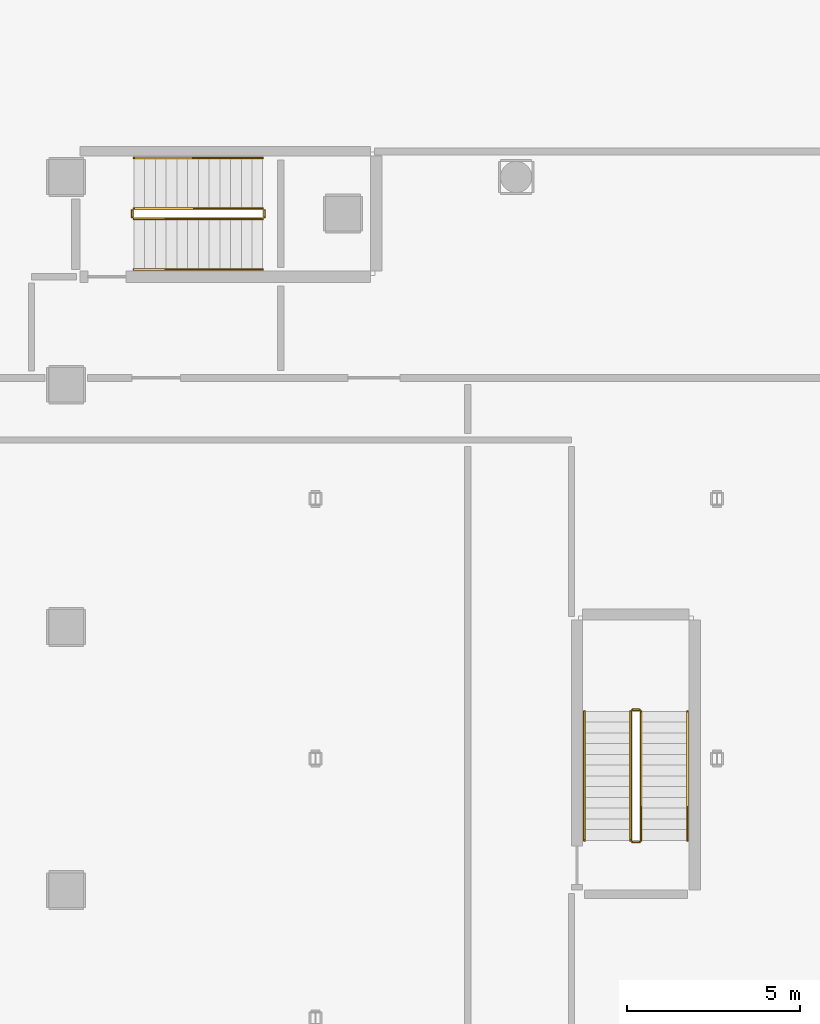
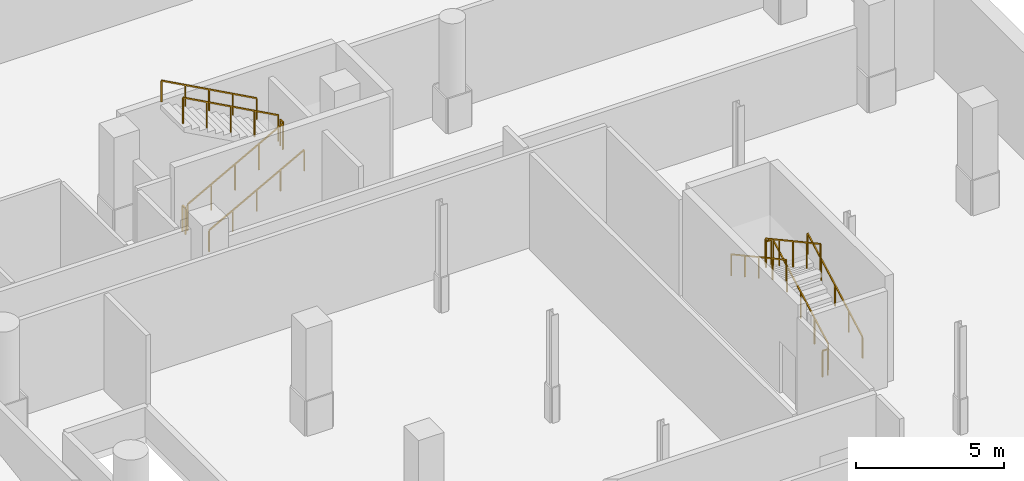
# One storey, part 22 of 22: 12 railings.
"""IFC4 building model written with IfcOpenShell, lengths in metres."""

import ifcopenshell
import ifcopenshell.guid

model = None  # the IFC model being written
_history = None  # IfcOwnerHistory: only IFC2X3 demands one
_inside = {}  # id of a spatial element -> (the spatial element, [elements in it])
_under = {}  # id of a project, library or spatial element -> (it, [spatial elements below it])
_declared = {}  # id of a project -> (the project, [libraries it declares])
_typed = {}  # id of a type object -> (the type object, [elements of that type])
_made_of = {}  # id of a material, layer set ... -> (it, [elements and type objects made of it])


def new_model(schema):
    """Start an empty IFC model of exactly this schema.

    Asked for "IFC4X3", IfcOpenShell would pick the latest addendum, in which some entities
    have other attributes; the version numbers below select the first issue.
    IFC2X3 requires an IfcOwnerHistory on every rooted entity: one is made here for all.
    """
    global model, _history
    if schema == "IFC4X3":
        model = ifcopenshell.file(schema_version=(4, 3, 0, 0))
    else:
        model = ifcopenshell.file(schema=schema)
    _inside.clear()
    _under.clear()
    _declared.clear()
    _typed.clear()
    _made_of.clear()
    _history = None
    if model.schema == "IFC2X3":
        org = make("IfcOrganization", Name="unknown")
        user = make(
            "IfcPersonAndOrganization",
            ThePerson=make("IfcPerson", FamilyName="unknown"),
            TheOrganization=org,
        )
        app = make(
            "IfcApplication",
            ApplicationDeveloper=org,
            Version="unknown",
            ApplicationFullName="unknown",
            ApplicationIdentifier="unknown",
        )
        _history = make(
            "IfcOwnerHistory",
            OwningUser=user,
            OwningApplication=app,
            ChangeAction="ADDED",
            CreationDate=0,
        )
    return model


def make(cls, **values):
    """One entity of the class cls with the attributes given. An attribute that is None is left unset."""
    return model.create_entity(
        cls, **{name: value for name, value in values.items() if value is not None}
    )


def rooted(cls, **values):
    """An entity with a GlobalId (a new one), such as an element, a storey or a relation."""
    return make(cls, GlobalId=ifcopenshell.guid.new(), OwnerHistory=_history, **values)


def si_unit(unit_type, name, prefix=None):
    """IfcSIUnit, for example si_unit("LENGTHUNIT", "METRE", prefix="MILLI")."""
    return make("IfcSIUnit", UnitType=unit_type, Prefix=prefix, Name=name)


def assignment(units):
    """IfcUnitAssignment: the units of a project."""
    return None if units is None else make("IfcUnitAssignment", Units=units)


def point(xyz):
    """IfcCartesianPoint."""
    return None if xyz is None else make("IfcCartesianPoint", Coordinates=xyz)


def direction(xyz):
    """IfcDirection."""
    return None if xyz is None else make("IfcDirection", DirectionRatios=xyz)


def frame(location, z_axis=None, x_axis=None):
    """IfcAxis2Placement3D, a coordinate frame: its origin and axes. An axis left out is left unset."""
    return make(
        "IfcAxis2Placement3D",
        Location=point(location),
        Axis=direction(z_axis),
        RefDirection=direction(x_axis),
    )


def frame_2d(location, x_axis=None):
    """IfcAxis2Placement2D, a coordinate frame in the plane: its origin and x axis."""
    return make(
        "IfcAxis2Placement2D", Location=point(location), RefDirection=direction(x_axis)
    )


def origin():
    """The frame at (0, 0, 0) with its axes left unset."""
    return frame((0.0, 0.0, 0.0))


def origin_2d():
    """The frame at (0, 0) in the plane with its x axis left unset."""
    return frame_2d((0.0, 0.0))


def place(relative_to, where):
    """IfcLocalPlacement: puts the frame where relative to a parent placement (None: the world)."""
    return make(
        "IfcLocalPlacement", PlacementRelTo=relative_to, RelativePlacement=where
    )


def context(
    kind, dimensions, precision=None, world=None, true_north=None, identifier=None
):
    """IfcGeometricRepresentationContext, for example the 3D "Model" context."""
    return make(
        "IfcGeometricRepresentationContext",
        ContextIdentifier=identifier,
        ContextType=kind,
        CoordinateSpaceDimension=dimensions,
        Precision=precision,
        WorldCoordinateSystem=world,
        TrueNorth=true_north,
    )


def subcontext(parent, identifier, kind, view, scale=None):
    """IfcGeometricRepresentationSubContext, for example "Body" below "Model"."""
    return make(
        "IfcGeometricRepresentationSubContext",
        ContextIdentifier=identifier,
        ContextType=kind,
        ParentContext=parent,
        TargetScale=scale,
        TargetView=view,
    )


def project(units=None, contexts=None):
    """IfcProject with its units and contexts."""
    return rooted(
        "IfcProject",
        Name="project",
        RepresentationContexts=contexts,
        UnitsInContext=assignment(units),
    )


def spatial(cls, under=None, at=None, **own):
    """A site, building, storey or space (cls), placed at a placement, below another one or the project."""
    s = rooted(cls, ObjectPlacement=at, **own)
    if under is not None:
        _under.setdefault(under.id(), (under, []))[1].append(s)
    return s


def profile(cls, at=None, kind="AREA", **sizes):
    """A parametric profile (cls). Its sizes go by their IFC names, for example OverallWidth=200.0."""
    return make(cls, ProfileType=kind, Position=at, **sizes)


def rectangle(**sizes):
    """IfcRectangleProfileDef."""
    return profile("IfcRectangleProfileDef", **sizes)


def extrude(swept, where, along, depth):
    """IfcExtrudedAreaSolid: the profile swept, set in the frame where, extruded along a direction by depth."""
    return make(
        "IfcExtrudedAreaSolid",
        SweptArea=swept,
        Position=where,
        ExtrudedDirection=direction(along),
        Depth=depth,
    )


def shape(context_of_items, identifier, shape_type, items):
    """IfcShapeRepresentation: the items that make up one representation, for example the "Body"."""
    return make(
        "IfcShapeRepresentation",
        ContextOfItems=context_of_items,
        RepresentationIdentifier=identifier,
        RepresentationType=shape_type,
        Items=items,
    )


def material(Name=None, Category=None):
    """IfcMaterial."""
    return make("IfcMaterial", Name=Name, Category=Category)


def made_of(thing, what):
    """Note that an element or type object is made of a material, layer set ...; save() writes the relation."""
    if what is not None:
        _made_of.setdefault(what.id(), (what, []))[1].append(thing)
    return thing


def type_object(cls, material=None, **own):
    """A type object (cls), such as IfcWallType, which elements share."""
    return made_of(rooted(cls, **own), material)


def element(
    cls,
    number,
    at=None,
    inside=None,
    cuts=None,
    type_object=None,
    material=None,
    context=None,
    identifier="Body",
    shape_type=None,
    held_by="IfcProductDefinitionShape",
    body=None,
    shapes=None,
    **own,
):
    """One element of the class cls, such as IfcWall. Its Tag is "e" and its number.

    at: its placement. inside: the storey or other place that contains it. cuts: it is an
    opening in that element (IfcRelVoidsElement). A single representation is given by context,
    identifier, shape_type and body (its items); several are given by shapes. held_by: the class
    of the entity that holds the representations. save() writes the other relations.
    """
    e = rooted(cls, Tag="e%d" % number, ObjectPlacement=at, **own)
    if body is not None:
        shapes = [shape(context, identifier, shape_type, body)]
    if shapes is not None:
        e.Representation = make(held_by, Representations=shapes)
    if inside is not None:
        _inside.setdefault(inside.id(), (inside, []))[1].append(e)
    if cuts is not None:
        rooted(
            "IfcRelVoidsElement", RelatingBuildingElement=cuts, RelatedOpeningElement=e
        )
    if type_object is not None:
        _typed.setdefault(type_object.id(), (type_object, []))[1].append(e)
    return made_of(e, material)


def aggregate(whole, parts):
    """IfcRelAggregates: a whole, such as a stair, and the parts it consists of."""
    return rooted("IfcRelAggregates", RelatingObject=whole, RelatedObjects=parts)


def save(model, path):
    """Write the relations noted so far, then the file.

    IfcRelAggregates (storeys below a building ...), IfcRelContainedInSpatialStructure (elements
    in a storey), IfcRelDefinesByType, IfcRelAssociatesMaterial and IfcRelDeclares: one each for
    every whole, place, type object, material and project.
    """
    for whole, parts in _under.values():
        aggregate(whole, parts)
    for where, things in _inside.values():
        rooted(
            "IfcRelContainedInSpatialStructure",
            RelatedElements=things,
            RelatingStructure=where,
        )
    for kind, things in _typed.values():
        rooted("IfcRelDefinesByType", RelatedObjects=things, RelatingType=kind)
    for what, things in _made_of.values():
        rooted("IfcRelAssociatesMaterial", RelatedObjects=things, RelatingMaterial=what)
    for by, libraries in _declared.values():
        rooted("IfcRelDeclares", RelatingContext=by, RelatedDefinitions=libraries)
    model.write(path)


model = new_model("IFC4")

# Units and contexts
model_context = context("Model", 3, precision=1e-05, world=origin(), true_north=direction((0.0, 1.0)))
body_context = subcontext(model_context, "Body", "Model", "MODEL_VIEW")
ifc_project = project(units=[si_unit("LENGTHUNIT", "METRE"), si_unit("AREAUNIT", "SQUARE_METRE"), si_unit("VOLUMEUNIT", "CUBIC_METRE"), si_unit("PLANEANGLEUNIT", "RADIAN"), si_unit("MASSUNIT", "GRAM", prefix="KILO")], contexts=[model_context])

# Site, building, storey
site_placement = place(None, origin())
site = spatial("IfcSite", under=ifc_project, at=site_placement, CompositionType="ELEMENT")
building_placement = place(site_placement, origin())
building = spatial("IfcBuilding", under=site, at=building_placement, Name="Solanera Arch Residences", CompositionType="ELEMENT")
storey_placement = place(building_placement, frame((0.0, 0.0, -4.39990234375)))
storey = spatial("IfcBuildingStorey", under=building, at=storey_placement, Name="B01", CompositionType="ELEMENT", Elevation=-4.39990234375)

# Railings
ifc_material_1 = material(Name="Steel S355 (ASTM A992 / A572 Grade 50)", Category="steel")
railing_type_1 = type_object("IfcRailingType", Name="Stair Guardrail GR-1100", PredefinedType="GUARDRAIL", material=ifc_material_1)
railing_1_placement = place(storey_placement, frame((57.760009765625, 46.18994140625, 0.154052734375)))
element("IfcRailing", 1, at=railing_1_placement, inside=storey, type_object=railing_type_1, Name="B01 ST-H2 stair guard 1", PredefinedType="GUARDRAIL", context=body_context, shape_type="SweptSolid", body=[
    extrude(rectangle(XDim=0.048095703125, YDim=0.048095703125, at=origin_2d()), frame((0.0, 0.0, 1.076171875), z_axis=(0.877728207833, 0.0, 0.479158839191), x_axis=(0.0, 1.0, 0.0)), (0.0, 0.0, 1.0), 4.23828125),
    extrude(rectangle(XDim=0.0419921875, YDim=0.0419921875, at=origin_2d()), origin(), (0.0, 0.0, 1.0), 1.052001953125),
    extrude(rectangle(XDim=0.0419921875, YDim=0.0419921875, at=origin_2d()), frame((0.929931640625, 0.0, 0.5078125)), (0.0, 0.0, 1.0), 1.052001953125),
    extrude(rectangle(XDim=0.0419921875, YDim=0.0419921875, at=origin_2d()), frame((1.85986328125, 0.0, 1.015380859375)), (0.0, 0.0, 1.0), 1.052001953125),
    extrude(rectangle(XDim=0.0419921875, YDim=0.0419921875, at=origin_2d()), frame((2.7900390625, 0.0, 1.52294921875)), (0.0, 0.0, 1.0), 1.052001953125),
    extrude(rectangle(XDim=0.0419921875, YDim=0.0419921875, at=origin_2d()), frame((3.719970703125, 0.0, 2.03076171875)), (0.0, 0.0, 1.0), 1.052001953125),
])
railing_2_placement = place(storey_placement, frame((61.530029296875, 46.239990234375, 2.184814453125)))
element("IfcRailing", 2, at=railing_2_placement, inside=storey, type_object=railing_type_1, Name="B01 ST-H2 stair guard 2", PredefinedType="GUARDRAIL", context=body_context, shape_type="SweptSolid", body=[
    extrude(rectangle(XDim=0.048095703125, YDim=0.048095703125, at=origin_2d()), frame((0.0, 0.0, 1.076171875), z_axis=(0.0, 1.0, 0.0), x_axis=(-1.0, 0.0, 0.0)), (0.0, 0.0, 1.0), 0.199951171875),
    extrude(rectangle(XDim=0.0419921875, YDim=0.0419921875, at=origin_2d()), origin(), (0.0, 0.0, 1.0), 1.052001953125),
    extrude(rectangle(XDim=0.0419921875, YDim=0.0419921875, at=origin_2d()), frame((0.0, 0.199951171875, 0.0)), (0.0, 0.0, 1.0), 1.052001953125),
])
railing_3_placement = place(storey_placement, frame((61.47998046875, 46.489990234375, 2.35400390625)))
element("IfcRailing", 3, at=railing_3_placement, inside=storey, type_object=railing_type_1, Name="B01 ST-H2 stair guard 3", PredefinedType="GUARDRAIL", context=body_context, shape_type="SweptSolid", body=[
    extrude(rectangle(XDim=0.048095703125, YDim=0.048095703125, at=origin_2d()), frame((0.0, 0.0, 1.076171875), z_axis=(-0.877703980351, 0.0, 0.479203216679), x_axis=(0.0, -1.0, 0.0)), (0.0, 0.0, 1.0), 4.23828125),
    extrude(rectangle(XDim=0.0419921875, YDim=0.0419921875, at=origin_2d()), origin(), (0.0, 0.0, 1.0), 1.052001953125),
    extrude(rectangle(XDim=0.0419921875, YDim=0.0419921875, at=origin_2d()), frame((-0.929931640625, 0.0, 0.5078125)), (0.0, 0.0, 1.0), 1.052001953125),
    extrude(rectangle(XDim=0.0419921875, YDim=0.0419921875, at=origin_2d()), frame((-1.85986328125, 0.0, 1.015625)), (0.0, 0.0, 1.0), 1.052001953125),
    extrude(rectangle(XDim=0.0419921875, YDim=0.0419921875, at=origin_2d()), frame((-2.7900390625, 0.0, 1.523193359375)), (0.0, 0.0, 1.0), 1.052001953125),
    extrude(rectangle(XDim=0.0419921875, YDim=0.0419921875, at=origin_2d()), frame((-3.719970703125, 0.0, 2.031005859375)), (0.0, 0.0, 1.0), 1.052001953125),
])
railing_4_placement = place(storey_placement, frame((57.7099609375, 46.239990234375, -0.01513671875)))
element("IfcRailing", 4, at=railing_4_placement, inside=storey, type_object=railing_type_1, Name="B01 ST-H2 stair guard 4", PredefinedType="GUARDRAIL", context=body_context, shape_type="SweptSolid", body=[
    extrude(rectangle(XDim=0.048095703125, YDim=0.048095703125, at=origin_2d()), frame((0.0, 0.0, 1.076171875), z_axis=(0.0, 1.0, 0.0), x_axis=(-1.0, 0.0, 0.0)), (0.0, 0.0, 1.0), 0.199951171875),
    extrude(rectangle(XDim=0.0419921875, YDim=0.0419921875, at=origin_2d()), origin(), (0.0, 0.0, 1.0), 1.052001953125),
    extrude(rectangle(XDim=0.0419921875, YDim=0.0419921875, at=origin_2d()), frame((0.0, 0.199951171875, 0.0)), (0.0, 0.0, 1.0), 1.052001953125),
])
railing_5_placement = place(storey_placement, frame((72.409912109375, 28.239990234375, 0.154052734375)))
element("IfcRailing", 5, at=railing_5_placement, inside=storey, type_object=railing_type_1, Name="B01 ST-B1 stair guard 1", PredefinedType="GUARDRAIL", context=body_context, shape_type="SweptSolid", body=[
    extrude(rectangle(XDim=0.048095703125, YDim=0.048095703125, at=origin_2d()), frame((0.0, 0.0, 1.076171875), z_axis=(0.0, 0.877728207833, 0.479158839191), x_axis=(-1.0, 0.0, 0.0)), (0.0, 0.0, 1.0), 4.23828125),
    extrude(rectangle(XDim=0.0419921875, YDim=0.0419921875, at=origin_2d()), origin(), (0.0, 0.0, 1.0), 1.052001953125),
    extrude(rectangle(XDim=0.0419921875, YDim=0.0419921875, at=origin_2d()), frame((0.0, 0.929931640625, 0.5078125)), (0.0, 0.0, 1.0), 1.052001953125),
    extrude(rectangle(XDim=0.0419921875, YDim=0.0419921875, at=origin_2d()), frame((0.0, 1.85986328125, 1.015380859375)), (0.0, 0.0, 1.0), 1.052001953125),
    extrude(rectangle(XDim=0.0419921875, YDim=0.0419921875, at=origin_2d()), frame((0.0, 2.7900390625, 1.52294921875)), (0.0, 0.0, 1.0), 1.052001953125),
    extrude(rectangle(XDim=0.0419921875, YDim=0.0419921875, at=origin_2d()), frame((0.0, 3.719970703125, 2.03076171875)), (0.0, 0.0, 1.0), 1.052001953125),
])
railing_6_placement = place(storey_placement, frame((72.360107421875, 32.010009765625, 2.184814453125)))
element("IfcRailing", 6, at=railing_6_placement, inside=storey, type_object=railing_type_1, Name="B01 ST-B1 stair guard 2", PredefinedType="GUARDRAIL", context=body_context, shape_type="SweptSolid", body=[
    extrude(rectangle(XDim=0.048095703125, YDim=0.048095703125, at=origin_2d()), frame((0.0, 0.0, 1.076171875), z_axis=(-1.0, 0.0, 0.0), x_axis=(0.0, -1.0, 0.0)), (0.0, 0.0, 1.0), 0.2001953125),
    extrude(rectangle(XDim=0.0419921875, YDim=0.0419921875, at=origin_2d()), origin(), (0.0, 0.0, 1.0), 1.052001953125),
    extrude(rectangle(XDim=0.0419921875, YDim=0.0419921875, at=origin_2d()), frame((-0.2001953125, 0.0, 0.0)), (0.0, 0.0, 1.0), 1.052001953125),
])
railing_7_placement = place(storey_placement, frame((72.110107421875, 31.9599609375, 2.35400390625)))
element("IfcRailing", 7, at=railing_7_placement, inside=storey, type_object=railing_type_1, Name="B01 ST-B1 stair guard 3", PredefinedType="GUARDRAIL", context=body_context, shape_type="SweptSolid", body=[
    extrude(rectangle(XDim=0.048095703125, YDim=0.048095703125, at=origin_2d()), frame((0.0, 0.0, 1.076171875), z_axis=(0.0, -0.877703980351, 0.479203216679), x_axis=(1.0, 0.0, 0.0)), (0.0, 0.0, 1.0), 4.23828125),
    extrude(rectangle(XDim=0.0419921875, YDim=0.0419921875, at=origin_2d()), origin(), (0.0, 0.0, 1.0), 1.052001953125),
    extrude(rectangle(XDim=0.0419921875, YDim=0.0419921875, at=origin_2d()), frame((0.0, -0.929931640625, 0.5078125)), (0.0, 0.0, 1.0), 1.052001953125),
    extrude(rectangle(XDim=0.0419921875, YDim=0.0419921875, at=origin_2d()), frame((0.0, -1.85986328125, 1.015625)), (0.0, 0.0, 1.0), 1.052001953125),
    extrude(rectangle(XDim=0.0419921875, YDim=0.0419921875, at=origin_2d()), frame((0.0, -2.7900390625, 1.523193359375)), (0.0, 0.0, 1.0), 1.052001953125),
    extrude(rectangle(XDim=0.0419921875, YDim=0.0419921875, at=origin_2d()), frame((0.0, -3.719970703125, 2.031005859375)), (0.0, 0.0, 1.0), 1.052001953125),
])
railing_8_placement = place(storey_placement, frame((72.360107421875, 28.18994140625, -0.01513671875)))
element("IfcRailing", 8, at=railing_8_placement, inside=storey, type_object=railing_type_1, Name="B01 ST-B1 stair guard 4", PredefinedType="GUARDRAIL", context=body_context, shape_type="SweptSolid", body=[
    extrude(rectangle(XDim=0.048095703125, YDim=0.048095703125, at=origin_2d()), frame((0.0, 0.0, 1.076171875), z_axis=(-1.0, 0.0, 0.0), x_axis=(0.0, -1.0, 0.0)), (0.0, 0.0, 1.0), 0.2001953125),
    extrude(rectangle(XDim=0.0419921875, YDim=0.0419921875, at=origin_2d()), origin(), (0.0, 0.0, 1.0), 1.052001953125),
    extrude(rectangle(XDim=0.0419921875, YDim=0.0419921875, at=origin_2d()), frame((-0.2001953125, 0.0, 0.0)), (0.0, 0.0, 1.0), 1.052001953125),
])
ifc_material_2 = material(Name="Steel S355 (ASTM A992 / A572 Grade 50)", Category="steel")
railing_type_2 = type_object("IfcRailingType", Name="Stair Wall Handrail HR-920", PredefinedType="HANDRAIL", material=ifc_material_2)
railing_9_placement = place(storey_placement, frame((57.760009765625, 44.72998046875, 0.169189453125)))
element("IfcRailing", 9, at=railing_9_placement, inside=storey, type_object=railing_type_2, Name="B01 ST-H2 stair handrail 1", PredefinedType="HANDRAIL", context=body_context, shape_type="SweptSolid", body=[
    extrude(rectangle(XDim=0.048095703125, YDim=0.048095703125, at=origin_2d()), frame((0.0, 0.0, 0.8759765625), z_axis=(0.877728207833, 0.0, 0.479158839191), x_axis=(0.0, 1.0, 0.0)), (0.0, 0.0, 1.0), 4.23828125),
    extrude(rectangle(XDim=0.0419921875, YDim=0.0419921875, at=origin_2d()), origin(), (0.0, 0.0, 1.0), 0.851806640625),
    extrude(rectangle(XDim=0.0419921875, YDim=0.0419921875, at=origin_2d()), frame((0.929931640625, 0.0, 0.5078125)), (0.0, 0.0, 1.0), 0.851806640625),
    extrude(rectangle(XDim=0.0419921875, YDim=0.0419921875, at=origin_2d()), frame((1.85986328125, 0.0, 1.015380859375)), (0.0, 0.0, 1.0), 0.851806640625),
    extrude(rectangle(XDim=0.0419921875, YDim=0.0419921875, at=origin_2d()), frame((2.7900390625, 0.0, 1.52294921875)), (0.0, 0.0, 1.0), 0.851806640625),
    extrude(rectangle(XDim=0.0419921875, YDim=0.0419921875, at=origin_2d()), frame((3.719970703125, 0.0, 2.03076171875)), (0.0, 0.0, 1.0), 0.851806640625),
])
railing_10_placement = place(storey_placement, frame((61.47998046875, 47.949951171875, 2.369140625)))
element("IfcRailing", 10, at=railing_10_placement, inside=storey, type_object=railing_type_2, Name="B01 ST-H2 stair handrail 2", PredefinedType="HANDRAIL", context=body_context, shape_type="SweptSolid", body=[
    extrude(rectangle(XDim=0.048095703125, YDim=0.048095703125, at=origin_2d()), frame((0.0, 0.0, 0.8759765625), z_axis=(-0.877728207833, 0.0, 0.479158839191), x_axis=(0.0, -1.0, 0.0)), (0.0, 0.0, 1.0), 4.23828125),
    extrude(rectangle(XDim=0.0419921875, YDim=0.0419921875, at=origin_2d()), origin(), (0.0, 0.0, 1.0), 0.851806640625),
    extrude(rectangle(XDim=0.0419921875, YDim=0.0419921875, at=origin_2d()), frame((-0.929931640625, 0.0, 0.5078125)), (0.0, 0.0, 1.0), 0.851806640625),
    extrude(rectangle(XDim=0.0419921875, YDim=0.0419921875, at=origin_2d()), frame((-1.85986328125, 0.0, 1.015380859375)), (0.0, 0.0, 1.0), 0.851806640625),
    extrude(rectangle(XDim=0.0419921875, YDim=0.0419921875, at=origin_2d()), frame((-2.7900390625, 0.0, 1.52294921875)), (0.0, 0.0, 1.0), 0.851806640625),
    extrude(rectangle(XDim=0.0419921875, YDim=0.0419921875, at=origin_2d()), frame((-3.719970703125, 0.0, 2.03076171875)), (0.0, 0.0, 1.0), 0.851806640625),
])
railing_11_placement = place(storey_placement, frame((73.75, 28.239990234375, 0.169189453125)))
element("IfcRailing", 11, at=railing_11_placement, inside=storey, type_object=railing_type_2, Name="B01 ST-B1 stair handrail 1", PredefinedType="HANDRAIL", context=body_context, shape_type="SweptSolid", body=[
    extrude(rectangle(XDim=0.048095703125, YDim=0.048095703125, at=origin_2d()), frame((0.0, 0.0, 0.8759765625), z_axis=(0.0, 0.877728207833, 0.479158839191), x_axis=(-1.0, 0.0, 0.0)), (0.0, 0.0, 1.0), 4.23828125),
    extrude(rectangle(XDim=0.0419921875, YDim=0.0419921875, at=origin_2d()), origin(), (0.0, 0.0, 1.0), 0.851806640625),
    extrude(rectangle(XDim=0.0419921875, YDim=0.0419921875, at=origin_2d()), frame((0.0, 0.929931640625, 0.5078125)), (0.0, 0.0, 1.0), 0.851806640625),
    extrude(rectangle(XDim=0.0419921875, YDim=0.0419921875, at=origin_2d()), frame((0.0, 1.85986328125, 1.015380859375)), (0.0, 0.0, 1.0), 0.851806640625),
    extrude(rectangle(XDim=0.0419921875, YDim=0.0419921875, at=origin_2d()), frame((0.0, 2.7900390625, 1.52294921875)), (0.0, 0.0, 1.0), 0.851806640625),
    extrude(rectangle(XDim=0.0419921875, YDim=0.0419921875, at=origin_2d()), frame((0.0, 3.719970703125, 2.03076171875)), (0.0, 0.0, 1.0), 0.851806640625),
])
railing_12_placement = place(storey_placement, frame((70.77001953125, 31.9599609375, 2.369140625)))
element("IfcRailing", 12, at=railing_12_placement, inside=storey, type_object=railing_type_2, Name="B01 ST-B1 stair handrail 2", PredefinedType="HANDRAIL", context=body_context, shape_type="SweptSolid", body=[
    extrude(rectangle(XDim=0.048095703125, YDim=0.048095703125, at=origin_2d()), frame((0.0, 0.0, 0.8759765625), z_axis=(0.0, -0.877728207833, 0.479158839191), x_axis=(1.0, 0.0, 0.0)), (0.0, 0.0, 1.0), 4.23828125),
    extrude(rectangle(XDim=0.0419921875, YDim=0.0419921875, at=origin_2d()), origin(), (0.0, 0.0, 1.0), 0.851806640625),
    extrude(rectangle(XDim=0.0419921875, YDim=0.0419921875, at=origin_2d()), frame((0.0, -0.929931640625, 0.5078125)), (0.0, 0.0, 1.0), 0.851806640625),
    extrude(rectangle(XDim=0.0419921875, YDim=0.0419921875, at=origin_2d()), frame((0.0, -1.85986328125, 1.015380859375)), (0.0, 0.0, 1.0), 0.851806640625),
    extrude(rectangle(XDim=0.0419921875, YDim=0.0419921875, at=origin_2d()), frame((0.0, -2.7900390625, 1.52294921875)), (0.0, 0.0, 1.0), 0.851806640625),
    extrude(rectangle(XDim=0.0419921875, YDim=0.0419921875, at=origin_2d()), frame((0.0, -3.719970703125, 2.03076171875)), (0.0, 0.0, 1.0), 0.851806640625),
])

save(model, "model.ifc")
